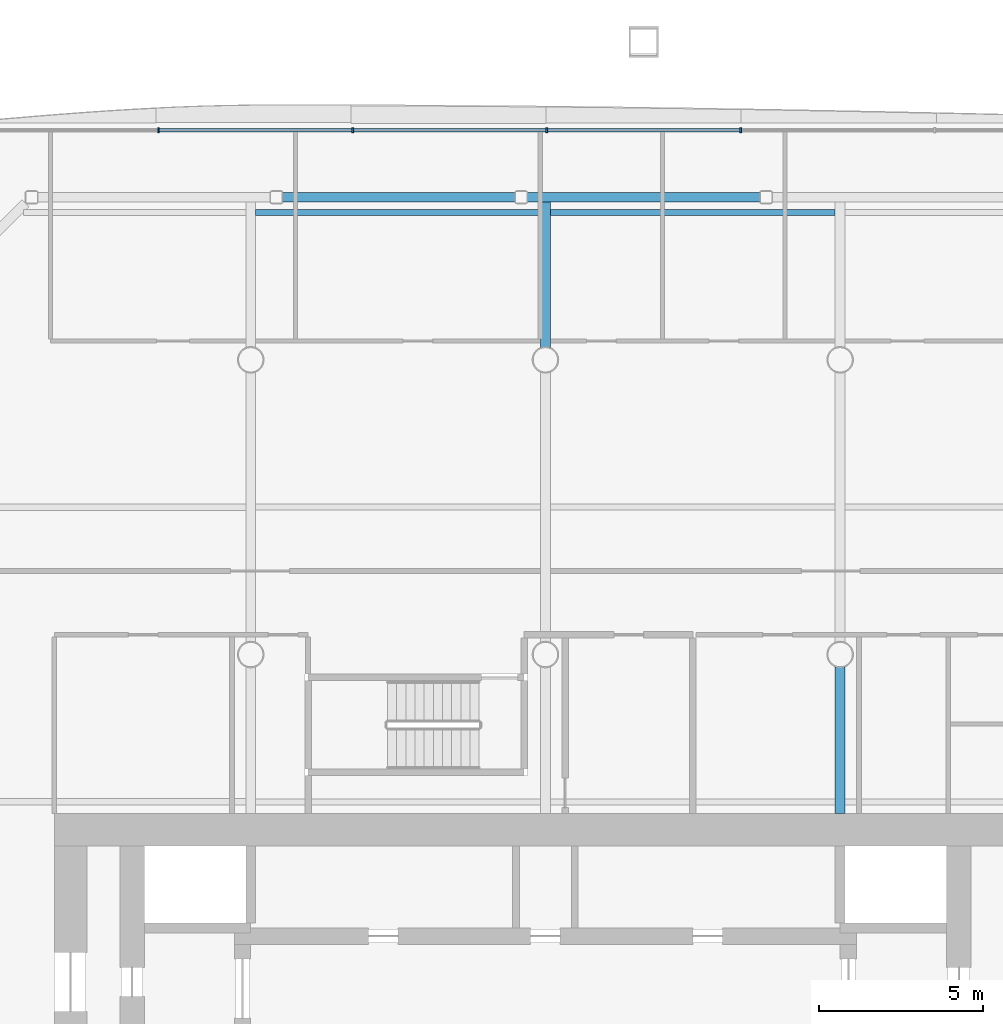
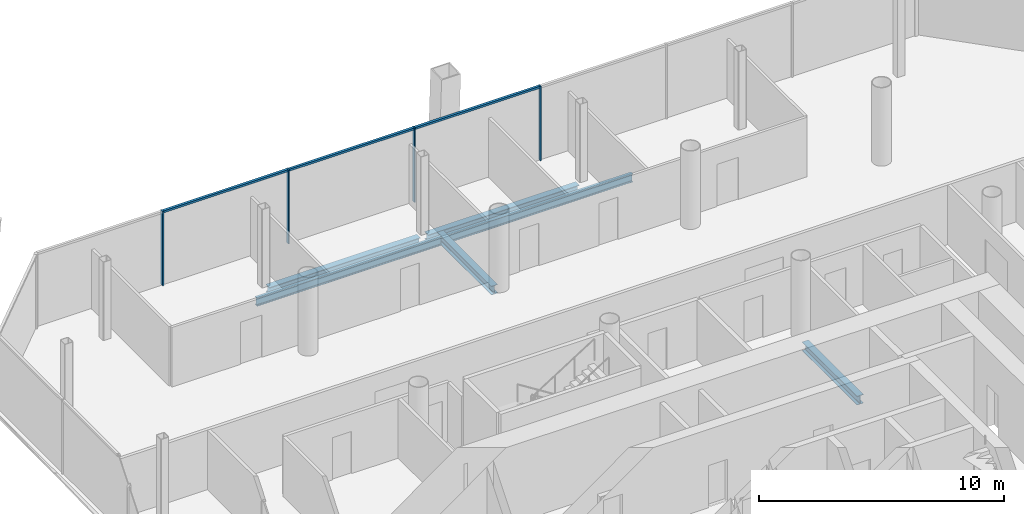
# One storey, part 8 of 19: 7 members, 6 beams, 1 element without a shape of its own.
"""IFC4 building model written with IfcOpenShell, lengths in metres."""

from ifc_helpers import new_model, si_unit, direction, frame, origin, origin_2d, place, context, subcontext, project, spatial, rectangle, i_section, extrude, material, material_profile, profile_set, type_object, element, aggregate, save


model = new_model("IFC4")

# Units and contexts
model_context = context("Model", 3, precision=1e-05, world=origin(), true_north=direction((0.0, 1.0)))
body_context = subcontext(model_context, "Body", "Model", "MODEL_VIEW")
ifc_project = project(units=[si_unit("LENGTHUNIT", "METRE"), si_unit("AREAUNIT", "SQUARE_METRE"), si_unit("VOLUMEUNIT", "CUBIC_METRE"), si_unit("PLANEANGLEUNIT", "RADIAN"), si_unit("MASSUNIT", "GRAM", prefix="KILO")], contexts=[model_context])

# Site, building, storey
site_placement = place(None, origin())
site = spatial("IfcSite", under=ifc_project, at=site_placement, CompositionType="ELEMENT")
building_placement = place(site_placement, origin())
building = spatial("IfcBuilding", under=site, at=building_placement, Name="Tskaro Facet Tower", CompositionType="ELEMENT")
storey_placement = place(building_placement, frame((0.0, 0.0, 81.60009765625)))
storey = spatial("IfcBuildingStorey", under=building, at=storey_placement, Name="L19", CompositionType="ELEMENT", Elevation=81.60009765625)

# Curtain wall, members
ifc_material_1 = material(Name="Bronze anodised aluminium 6063-T6", Category="aluminium")
curtain_wall_type = type_object("IfcCurtainWallType", Name="Bronze office curtain wall (FW1)", PredefinedType="NOTDEFINED", material=ifc_material_1)
curtain_wall_placement = place(storey_placement, origin())
curtain_wall = element("IfcCurtainWall", 1, at=curtain_wall_placement, inside=storey, type_object=curtain_wall_type, Name="FW1 north facet L19", PredefinedType="NOTDEFINED")
ifc_material_profile_1 = material_profile(ifc_material_1, rectangle(XDim=0.06005859375, YDim=0.159912109375, at=origin_2d()), Name="Mullion 60x160")
ifc_profile_set_1 = profile_set([ifc_material_profile_1], Name="Bronze anodised aluminium 6063-T6")
member_type_1 = type_object("IfcMemberType", Name="FW1 bronze mullion 60x160", PredefinedType="MULLION", material=ifc_profile_set_1)
member_1_placement = place(storey_placement, frame((5.96337890625, 25.010986328125, 0.0), z_axis=(0.0, 0.0, 1.0), x_axis=(-1.0, 0.0, 0.0)))
member_1 = element("IfcMember", 2, at=member_1_placement, type_object=member_type_1, Name="FW1 north mullion 3", PredefinedType="MULLION", context=body_context, shape_type="SweptSolid", body=[
    extrude(rectangle(XDim=0.06005859375, YDim=0.159912109375, at=origin_2d()), origin(), (0.0, 0.0, 1.0), 3.699951171875),
])
member_2_placement = place(storey_placement, frame((0.03662109375, 25.010986328125, 0.0), z_axis=(0.0, 0.0, 1.0), x_axis=(-1.0, 0.0, 0.0)))
member_2 = element("IfcMember", 3, at=member_2_placement, type_object=member_type_1, Name="FW1 north mullion 4", PredefinedType="MULLION", context=body_context, shape_type="SweptSolid", body=[
    extrude(rectangle(XDim=0.06005859375, YDim=0.159912109375, at=origin_2d()), origin(), (0.0, 0.0, 1.0), 3.699951171875),
])
member_3_placement = place(storey_placement, frame((-5.890380859375, 25.010986328125, 0.0), z_axis=(0.0, 0.0, 1.0), x_axis=(-1.0, 0.0, 0.0)))
member_3 = element("IfcMember", 4, at=member_3_placement, type_object=member_type_1, Name="FW1 north mullion 5", PredefinedType="MULLION", context=body_context, shape_type="SweptSolid", body=[
    extrude(rectangle(XDim=0.06005859375, YDim=0.159912109375, at=origin_2d()), origin(), (0.0, 0.0, 1.0), 3.699951171875),
])
member_4_placement = place(storey_placement, frame((-11.817138671875, 25.010986328125, 0.0), z_axis=(0.0, 0.0, 1.0), x_axis=(-1.0, 0.0, 0.0)))
member_4 = element("IfcMember", 5, at=member_4_placement, type_object=member_type_1, Name="FW1 north mullion 6", PredefinedType="MULLION", context=body_context, shape_type="SweptSolid", body=[
    extrude(rectangle(XDim=0.06005859375, YDim=0.159912109375, at=origin_2d()), origin(), (0.0, 0.0, 1.0), 3.699951171875),
])
ifc_material_profile_2 = material_profile(ifc_material_1, rectangle(XDim=0.1201171875, YDim=0.10009765625, at=origin_2d()), Name="Transom 120x100")
ifc_profile_set_2 = profile_set([ifc_material_profile_2], Name="Bronze anodised aluminium 6063-T6")
member_type_2 = type_object("IfcMemberType", Name="FW1 bronze transom 120x100", PredefinedType="USERDEFINED", material=ifc_profile_set_2)
member_5_placement = place(storey_placement, frame((5.933349609375, 25.010986328125, 3.64990234375), z_axis=(-1.0, 0.0, 0.0), x_axis=(0.0, -1.0, 0.0)))
member_5 = element("IfcMember", 6, at=member_5_placement, type_object=member_type_2, Name="FW1 north transom 4.1", ObjectType="TRANSOM", PredefinedType="USERDEFINED", context=body_context, shape_type="SweptSolid", body=[
    extrude(rectangle(XDim=0.1201171875, YDim=0.10009765625, at=origin_2d()), origin(), (0.0, 0.0, 1.0), 5.86669921875),
])
member_6_placement = place(storey_placement, frame((0.006591796875, 25.010986328125, 3.64990234375), z_axis=(-1.0, 0.0, 0.0), x_axis=(0.0, -1.0, 0.0)))
member_6 = element("IfcMember", 7, at=member_6_placement, type_object=member_type_2, Name="FW1 north transom 5.1", ObjectType="TRANSOM", PredefinedType="USERDEFINED", context=body_context, shape_type="SweptSolid", body=[
    extrude(rectangle(XDim=0.1201171875, YDim=0.10009765625, at=origin_2d()), origin(), (0.0, 0.0, 1.0), 5.866943359375),
])
member_7_placement = place(storey_placement, frame((-5.920166015625, 25.010986328125, 3.64990234375), z_axis=(-1.0, 0.0, 0.0), x_axis=(0.0, -1.0, 0.0)))
member_7 = element("IfcMember", 8, at=member_7_placement, type_object=member_type_2, Name="FW1 north transom 6.1", ObjectType="TRANSOM", PredefinedType="USERDEFINED", context=body_context, shape_type="SweptSolid", body=[
    extrude(rectangle(XDim=0.1201171875, YDim=0.10009765625, at=origin_2d()), origin(), (0.0, 0.0, 1.0), 5.866943359375),
])
aggregate(curtain_wall, [member_1, member_2, member_3, member_4, member_5, member_6, member_7])

# Beams
ifc_material_2 = material(Name="Steel S355J2", Category="steel")
ifc_material_profile_3 = material_profile(ifc_material_2, i_section(OverallWidth=0.300048828125, OverallDepth=0.360107421875, WebThickness=0.012451171875, FlangeThickness=0.0224609375, FilletRadius=0.027099609375, at=origin_2d()), Name="HE 360 B")
ifc_profile_set_3 = profile_set([ifc_material_profile_3], Name="Steel S355J2")
beam_type_1 = type_object("IfcBeamType", Name="HE 360 B ring beam", PredefinedType="BEAM", material=ifc_profile_set_3)
beam_1_placement = place(storey_placement, frame((6.55810546875, 22.965087890625, -0.320068359375), z_axis=(-1.0, 0.0, 0.0), x_axis=(0.0, -1.0, 0.0)))
element("IfcBeam", 9, at=beam_1_placement, inside=storey, type_object=beam_type_1, Name="HE 360 B EB15-2", PredefinedType="BEAM", context=body_context, shape_type="SweptSolid", body=[
    extrude(i_section(OverallWidth=0.300048828125, OverallDepth=0.360107421875, WebThickness=0.012451171875, FlangeThickness=0.0224609375, FilletRadius=0.027099609375, at=origin_2d()), origin(), (0.0, 0.0, 1.0), 7.1162109375),
])
beam_2_placement = place(storey_placement, frame((-0.91796875, 22.965087890625, -0.320068359375), z_axis=(-1.0, 0.0, 0.0), x_axis=(0.0, -1.0, 0.0)))
element("IfcBeam", 10, at=beam_2_placement, inside=storey, type_object=beam_type_1, Name="HE 360 B EB16-2", PredefinedType="BEAM", context=body_context, shape_type="SweptSolid", body=[
    extrude(i_section(OverallWidth=0.300048828125, OverallDepth=0.360107421875, WebThickness=0.012451171875, FlangeThickness=0.0224609375, FilletRadius=0.027099609375, at=origin_2d()), origin(), (0.0, 0.0, 1.0), 7.115966796875),
])
ifc_material_profile_4 = material_profile(ifc_material_2, i_section(OverallWidth=0.300048828125, OverallDepth=0.43994140625, WebThickness=0.011474609375, FlangeThickness=0.02099609375, FilletRadius=0.027099609375, at=origin_2d()), Name="HE 450 A")
ifc_profile_set_4 = profile_set([ifc_material_profile_4], Name="Steel S355J2")
beam_type_2 = type_object("IfcBeamType", Name="HE 450 A girder", PredefinedType="BEAM", material=ifc_profile_set_4)
beam_3_placement = place(storey_placement, frame((0.0, 18.37646484375, -0.360107421875), z_axis=(0.0, 1.0, 0.0), x_axis=(-1.0, 0.0, 0.0)))
element("IfcBeam", 11, at=beam_3_placement, inside=storey, type_object=beam_type_2, Name="HE 450 A GB4-5-2", PredefinedType="BEAM", context=body_context, shape_type="SweptSolid", body=[
    extrude(i_section(OverallWidth=0.300048828125, OverallDepth=0.43994140625, WebThickness=0.011474609375, FlangeThickness=0.02099609375, FilletRadius=0.027099609375, at=origin_2d()), origin(), (0.0, 0.0, 1.0), 4.4384765625),
])
beam_4_placement = place(storey_placement, frame((9.0, 4.14990234375, -0.360107421875), z_axis=(0.0, 1.0, 0.0), x_axis=(-1.0, 0.0, 0.0)))
element("IfcBeam", 12, at=beam_4_placement, inside=storey, type_object=beam_type_2, Name="HE 450 A GB5-3-2", PredefinedType="BEAM", context=body_context, shape_type="SweptSolid", body=[
    extrude(i_section(OverallWidth=0.300048828125, OverallDepth=0.43994140625, WebThickness=0.011474609375, FlangeThickness=0.02099609375, FilletRadius=0.027099609375, at=origin_2d()), origin(), (0.0, 0.0, 1.0), 4.4736328125),
])
ifc_material_profile_5 = material_profile(ifc_material_2, i_section(OverallWidth=0.179931640625, OverallDepth=0.39990234375, WebThickness=0.008544921875, FlangeThickness=0.013427734375, FilletRadius=0.02099609375, at=origin_2d()), Name="IPE 400")
ifc_profile_set_5 = profile_set([ifc_material_profile_5], Name="Steel S355J2")
beam_type_3 = type_object("IfcBeamType", Name="IPE 400 secondary beam", PredefinedType="BEAM", material=ifc_profile_set_5)
for number, where, z_axis, x_axis, name in (
    (13, (-8.85009765625, 22.5, -0.340087890625), (1.0, 0.0, 0.0), (0.0, 1.0, 0.0), "IPE 400 SB6a-2-2"),
    (14, (0.14990234375, 22.5, -0.340087890625), (1.0, 0.0, 0.0), (0.0, 1.0, 0.0), "IPE 400 SB6a-3-2"),
):
    element("IfcBeam", number, at=place(storey_placement, frame(where, z_axis=z_axis, x_axis=x_axis)), inside=storey, type_object=beam_type_3, Name=name, PredefinedType="BEAM", context=body_context, shape_type="SweptSolid", body=[
        extrude(i_section(OverallWidth=0.179931640625, OverallDepth=0.39990234375, WebThickness=0.008544921875, FlangeThickness=0.013427734375, FilletRadius=0.02099609375, at=origin_2d()), origin(), (0.0, 0.0, 1.0), 8.7001953125),
    ])

save(model, "model.ifc")
